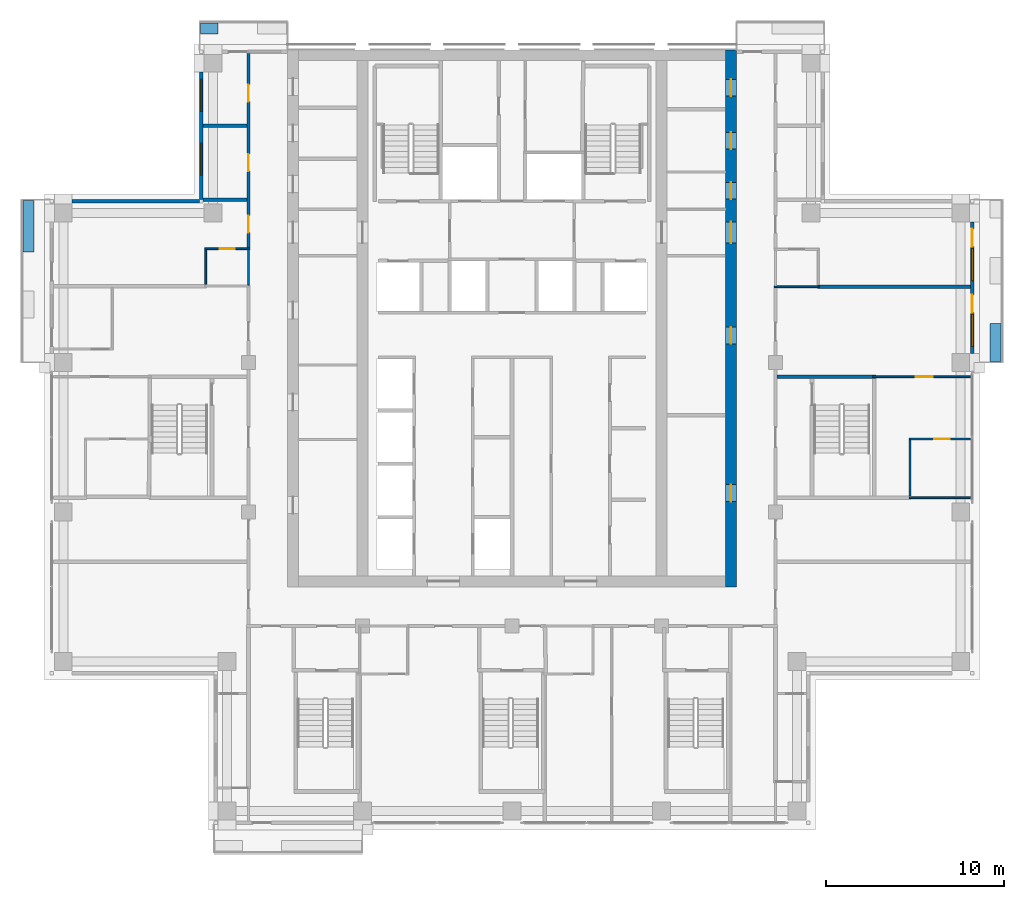
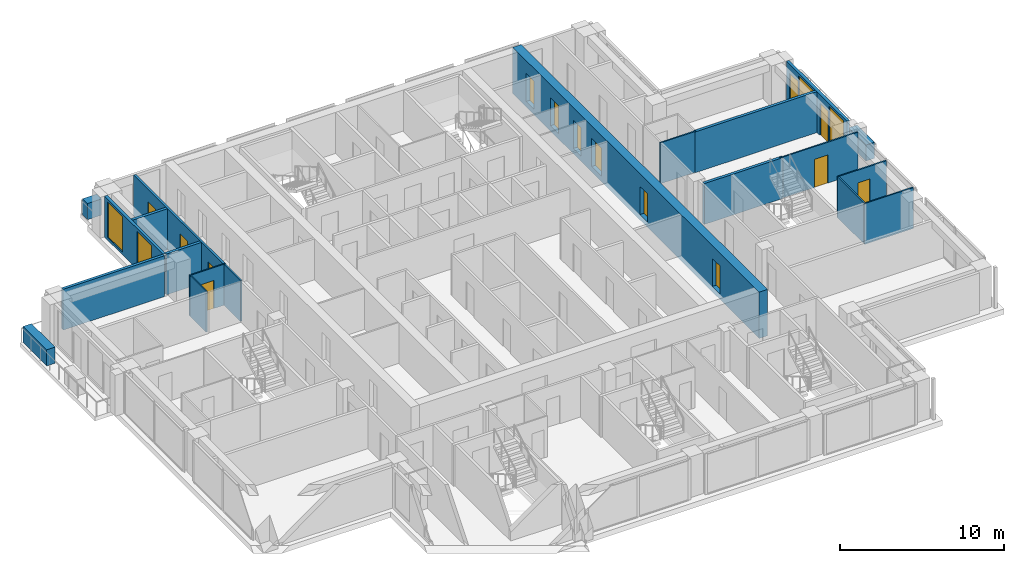
# One storey, part 11 of 16: 20 walls, 14 doors, 4 windows, 18 openings.
"""IFC4 building model written with IfcOpenShell, lengths in metres."""

from ifc_helpers import new_model, si_unit, direction, frame, frame_2d, origin, place, context, subcontext, project, spatial, rectangle, extrude, material, layer, layer_set, type_object, element, fill, save


model = new_model("IFC4")

# Units and contexts
model_context = context("Model", 3, precision=1e-05, world=origin(), true_north=direction((0.0, 1.0)))
body_context = subcontext(model_context, "Body", "Model", "MODEL_VIEW")
ifc_project = project(units=[si_unit("LENGTHUNIT", "METRE"), si_unit("AREAUNIT", "SQUARE_METRE"), si_unit("VOLUMEUNIT", "CUBIC_METRE"), si_unit("PLANEANGLEUNIT", "RADIAN"), si_unit("MASSUNIT", "GRAM", prefix="KILO")], contexts=[model_context])

# Site, building, storey
site_placement = place(None, origin())
site = spatial("IfcSite", under=ifc_project, at=site_placement, CompositionType="ELEMENT")
building_placement = place(site_placement, origin())
building = spatial("IfcBuilding", under=site, at=building_placement, Name="Vermilion Ogive Tower", CompositionType="ELEMENT")
storey_placement = place(building_placement, frame((0.0, 0.0, 182.449951171875)))
storey = spatial("IfcBuildingStorey", under=building, at=storey_placement, Name="L47", CompositionType="ELEMENT", Elevation=182.449951171875)

# Wall, openings, doors
ifc_material_1 = material(Name="Concrete B60", Category="concrete")
ifc_layer_1 = layer(ifc_material_1, 0.60009765625)
ifc_layer_set_1 = layer_set([ifc_layer_1], Name="Core wall 600 B60")
wall_type_1 = type_object("IfcWallType", Name="Core wall 600 B60", PredefinedType="SHEAR", material=ifc_layer_set_1)
wall_1_placement = place(storey_placement, frame((12.300048828125, -8.39990234375, -0.39990234375), z_axis=(0.0, 0.0, 1.0), x_axis=(0.0, 1.0, 0.0)))
wall_1 = element("IfcWall", 1, at=wall_1_placement, inside=storey, type_object=wall_type_1, Name="L47-CORE-E", PredefinedType="SHEAR", context=body_context, shape_type="SweptSolid", body=[
    extrude(rectangle(XDim=30.14990234375, YDim=0.60009765625, at=frame_2d((15.074951171875, 0.0))), origin(), (0.0, 0.0, 1.0), 3.449951171875),
])
opening_1_placement = place(wall_1_placement, frame((4.78759765625, 0.0, 0.39990234375)))
opening_1 = element("IfcOpeningElement", 2, at=opening_1_placement, cuts=wall_1, Name="Opening DAC067", PredefinedType="OPENING", context=body_context, shape_type="SweptSolid", body=[
    extrude(rectangle(XDim=0.949951171875, YDim=2.10009765625, at=frame_2d((0.47509765625, 1.050048828125))), frame((0.0, 0.31005859375, 0.0), z_axis=(0.0, -1.0, 0.0), x_axis=(1.0, 0.0, 0.0)), (0.0, 0.0, 1.0), 0.6201171875),
])
opening_2_placement = place(wall_1_placement, frame((13.6376953125, 0.0, 0.39990234375)))
opening_2 = element("IfcOpeningElement", 3, at=opening_2_placement, cuts=wall_1, Name="Opening DAC068", PredefinedType="OPENING", context=body_context, shape_type="SweptSolid", body=[
    extrude(rectangle(XDim=0.949951171875, YDim=2.10009765625, at=frame_2d((0.47509765625, 1.050048828125))), frame((0.0, 0.31005859375, 0.0), z_axis=(0.0, -1.0, 0.0), x_axis=(1.0, 0.0, 0.0)), (0.0, 0.0, 1.0), 0.6201171875),
])
opening_3_placement = place(wall_1_placement, frame((21.7705078125, 0.0, 0.39990234375)))
opening_3 = element("IfcOpeningElement", 4, at=opening_3_placement, cuts=wall_1, Name="Opening DAC069", PredefinedType="OPENING", context=body_context, shape_type="SweptSolid", body=[
    extrude(rectangle(XDim=0.949951171875, YDim=2.10009765625, at=frame_2d((0.47509765625, 1.050048828125))), frame((0.0, 0.31005859375, 0.0), z_axis=(0.0, -1.0, 0.0), x_axis=(1.0, 0.0, 0.0)), (0.0, 0.0, 1.0), 0.6201171875),
])
opening_4_placement = place(wall_1_placement, frame((24.57568359375, 0.0, 0.39990234375)))
opening_4 = element("IfcOpeningElement", 5, at=opening_4_placement, cuts=wall_1, Name="Opening DAC070", PredefinedType="OPENING", context=body_context, shape_type="SweptSolid", body=[
    extrude(rectangle(XDim=0.949951171875, YDim=2.10009765625, at=frame_2d((0.47509765625, 1.050048828125))), frame((0.0, 0.31005859375, 0.0), z_axis=(0.0, -1.0, 0.0), x_axis=(1.0, 0.0, 0.0)), (0.0, 0.0, 1.0), 0.6201171875),
])
opening_5_placement = place(wall_1_placement, frame((27.555419921875, 0.0, 0.39990234375)))
opening_5 = element("IfcOpeningElement", 6, at=opening_5_placement, cuts=wall_1, Name="Opening DAC071", PredefinedType="OPENING", context=body_context, shape_type="SweptSolid", body=[
    extrude(rectangle(XDim=0.949951171875, YDim=2.10009765625, at=frame_2d((0.47509765625, 1.050048828125))), frame((0.0, 0.31005859375, 0.0), z_axis=(0.0, -1.0, 0.0), x_axis=(1.0, 0.0, 0.0)), (0.0, 0.0, 1.0), 0.6201171875),
])
opening_6_placement = place(wall_1_placement, frame((19.300048828125, 0.0, 0.39990234375)))
opening_6 = element("IfcOpeningElement", 7, at=opening_6_placement, cuts=wall_1, Name="Opening DAL018", PredefinedType="OPENING", context=body_context, shape_type="SweptSolid", body=[
    extrude(rectangle(XDim=1.199951171875, YDim=2.10009765625, at=frame_2d((0.60009765625, 1.050048828125))), frame((0.0, 0.31005859375, 0.0), z_axis=(0.0, -1.0, 0.0), x_axis=(1.0, 0.0, 0.0)), (0.0, 0.0, 1.0), 0.6201171875),
])
ifc_material_2 = material(Name="Timber door leaf", Category="wood")
door_type_1 = type_object("IfcDoorType", Name="Link door 1200 x 2100 FD60S", OperationType="SINGLE_SWING_LEFT", PredefinedType="DOOR", material=ifc_material_2)
door_1_placement = place(opening_6_placement, origin())
door_1 = element("IfcDoor", 8, at=door_1_placement, inside=storey, type_object=door_type_1, Name="L47-CKE-XL", OperationType="SINGLE_SWING_LEFT", OverallHeight=2.10009765625, OverallWidth=1.199951171875, PredefinedType="DOOR", context=body_context, shape_type="SweptSolid", body=[
    extrude(rectangle(XDim=1.199951171875, YDim=2.10009765625, at=frame_2d((0.60009765625, 1.050048828125))), frame((0.0, 0.02490234375, 0.0), z_axis=(0.0, -1.0, 0.0), x_axis=(1.0, 0.0, 0.0)), (0.0, 0.0, 1.0), 0.050048828125),
])
fill(opening_6, door_1)
ifc_material_3 = material(Name="Timber door leaf", Category="wood")
door_type_2 = type_object("IfcDoorType", Name="Service door 950 x 2100 FD60", OperationType="SINGLE_SWING_LEFT", PredefinedType="DOOR", material=ifc_material_3)
door_2_placement = place(opening_1_placement, origin())
door_2 = element("IfcDoor", 9, at=door_2_placement, inside=storey, type_object=door_type_2, Name="L47-CKE-XR0", OperationType="SINGLE_SWING_LEFT", OverallHeight=2.10009765625, OverallWidth=0.949951171875, PredefinedType="DOOR", context=body_context, shape_type="SweptSolid", body=[
    extrude(rectangle(XDim=0.949951171875, YDim=2.10009765625, at=frame_2d((0.47509765625, 1.050048828125))), frame((0.0, 0.02490234375, 0.0), z_axis=(0.0, -1.0, 0.0), x_axis=(1.0, 0.0, 0.0)), (0.0, 0.0, 1.0), 0.050048828125),
])
fill(opening_1, door_2)
door_3_placement = place(opening_2_placement, origin())
door_3 = element("IfcDoor", 10, at=door_3_placement, inside=storey, type_object=door_type_2, Name="L47-CKE-XR1", OperationType="SINGLE_SWING_LEFT", OverallHeight=2.10009765625, OverallWidth=0.949951171875, PredefinedType="DOOR", context=body_context, shape_type="SweptSolid", body=[
    extrude(rectangle(XDim=0.949951171875, YDim=2.10009765625, at=frame_2d((0.47509765625, 1.050048828125))), frame((0.0, 0.02490234375, 0.0), z_axis=(0.0, -1.0, 0.0), x_axis=(1.0, 0.0, 0.0)), (0.0, 0.0, 1.0), 0.050048828125),
])
fill(opening_2, door_3)
door_4_placement = place(opening_3_placement, origin())
door_4 = element("IfcDoor", 11, at=door_4_placement, inside=storey, type_object=door_type_2, Name="L47-CKE-XR2", OperationType="SINGLE_SWING_LEFT", OverallHeight=2.10009765625, OverallWidth=0.949951171875, PredefinedType="DOOR", context=body_context, shape_type="SweptSolid", body=[
    extrude(rectangle(XDim=0.949951171875, YDim=2.10009765625, at=frame_2d((0.47509765625, 1.050048828125))), frame((0.0, 0.02490234375, 0.0), z_axis=(0.0, -1.0, 0.0), x_axis=(1.0, 0.0, 0.0)), (0.0, 0.0, 1.0), 0.050048828125),
])
fill(opening_3, door_4)
door_5_placement = place(opening_4_placement, origin())
door_5 = element("IfcDoor", 12, at=door_5_placement, inside=storey, type_object=door_type_2, Name="L47-CKE-XR3", OperationType="SINGLE_SWING_LEFT", OverallHeight=2.10009765625, OverallWidth=0.949951171875, PredefinedType="DOOR", context=body_context, shape_type="SweptSolid", body=[
    extrude(rectangle(XDim=0.949951171875, YDim=2.10009765625, at=frame_2d((0.47509765625, 1.050048828125))), frame((0.0, 0.02490234375, 0.0), z_axis=(0.0, -1.0, 0.0), x_axis=(1.0, 0.0, 0.0)), (0.0, 0.0, 1.0), 0.050048828125),
])
fill(opening_4, door_5)
door_6_placement = place(opening_5_placement, origin())
door_6 = element("IfcDoor", 13, at=door_6_placement, inside=storey, type_object=door_type_2, Name="L47-CKE-XR4", OperationType="SINGLE_SWING_LEFT", OverallHeight=2.10009765625, OverallWidth=0.949951171875, PredefinedType="DOOR", context=body_context, shape_type="SweptSolid", body=[
    extrude(rectangle(XDim=0.949951171875, YDim=2.10009765625, at=frame_2d((0.47509765625, 1.050048828125))), frame((0.0, 0.02490234375, 0.0), z_axis=(0.0, -1.0, 0.0), x_axis=(1.0, 0.0, 0.0)), (0.0, 0.0, 1.0), 0.050048828125),
])
fill(opening_5, door_6)

# Wall
ifc_material_4 = material(Name="Gypsum board partition on steel studs", Category="steel")
ifc_layer_2 = layer(ifc_material_4, 0.10009765625)
ifc_layer_set_2 = layer_set([ifc_layer_2], Name="Partition 100 bath")
wall_type_2 = type_object("IfcWallType", Name="Partition 100 bath", PredefinedType="PARTITIONING", material=ifc_layer_set_2)
wall_2_placement = place(storey_placement, frame((22.300048828125, -3.39990234375, 0.0), z_axis=(0.0, 0.0, 1.0), x_axis=(1.0, 0.0, 0.0)))
element("IfcWall", 14, at=wall_2_placement, inside=storey, type_object=wall_type_2, Name="L47-W-W024", PredefinedType="PARTITIONING", context=body_context, shape_type="SweptSolid", body=[
    extrude(rectangle(XDim=3.449951171875, YDim=0.10009765625, at=frame_2d((1.72509765625, 0.0))), origin(), (0.0, 0.0, 1.0), 3.050048828125),
])

# Wall, opening, door
wall_3_placement = place(storey_placement, frame((22.300048828125, -0.10009765625, 0.0), z_axis=(0.0, 0.0, 1.0), x_axis=(1.0, 0.0, 0.0)))
wall_3 = element("IfcWall", 15, at=wall_3_placement, inside=storey, type_object=wall_type_2, Name="L47-W-W026", PredefinedType="PARTITIONING", context=body_context, shape_type="SweptSolid", body=[
    extrude(rectangle(XDim=3.449951171875, YDim=0.10009765625, at=frame_2d((1.72509765625, 0.0))), origin(), (0.0, 0.0, 1.0), 3.050048828125),
])
opening_7_placement = place(wall_3_placement, frame((1.425048828125, 0.0, 0.0)))
opening_7 = element("IfcOpeningElement", 16, at=opening_7_placement, cuts=wall_3, Name="Opening D4G1022", PredefinedType="OPENING", context=body_context, shape_type="SweptSolid", body=[
    extrude(rectangle(XDim=0.85009765625, YDim=2.10009765625, at=frame_2d((0.425048828125, 1.050048828125))), frame((0.0, 0.06005859375, 0.0), z_axis=(0.0, -1.0, 0.0), x_axis=(1.0, 0.0, 0.0)), (0.0, 0.0, 1.0), 0.1201171875),
])
ifc_material_5 = material(Name="Timber door leaf", Category="wood")
door_type_3 = type_object("IfcDoorType", Name="Bath door 850 x 2100 FD30", OperationType="SINGLE_SWING_LEFT", PredefinedType="DOOR", material=ifc_material_5)
door_7_placement = place(opening_7_placement, origin())
door_7 = element("IfcDoor", 17, at=door_7_placement, inside=storey, type_object=door_type_3, Name="L47-D-D022", OperationType="SINGLE_SWING_RIGHT", OverallHeight=2.10009765625, OverallWidth=0.85009765625, PredefinedType="DOOR", context=body_context, shape_type="SweptSolid", body=[
    extrude(rectangle(XDim=0.85009765625, YDim=2.10009765625, at=frame_2d((0.425048828125, 1.050048828125))), frame((0.0, 0.02490234375, 0.0), z_axis=(0.0, -1.0, 0.0), x_axis=(1.0, 0.0, 0.0)), (0.0, 0.0, 1.0), 0.050048828125),
])
fill(opening_7, door_7)

# Wall
wall_4_placement = place(storey_placement, frame((14.72509765625, 8.449951171875, 0.0), z_axis=(0.0, 0.0, 1.0), x_axis=(1.0, 0.0, 0.0)))
element("IfcWall", 18, at=wall_4_placement, inside=storey, type_object=wall_type_2, Name="L47-W-W032", PredefinedType="PARTITIONING", context=body_context, shape_type="SweptSolid", body=[
    extrude(rectangle(XDim=2.52490234375, YDim=0.10009765625, at=frame_2d((1.262451171875, 0.0))), origin(), (0.0, 0.0, 1.0), 3.050048828125),
])

# Wall, opening, door
wall_5_placement = place(storey_placement, frame((-17.25, 10.590087890625, 0.0), z_axis=(0.0, 0.0, 1.0), x_axis=(1.0, 0.0, 0.0)))
wall_5 = element("IfcWall", 19, at=wall_5_placement, inside=storey, type_object=wall_type_2, Name="L47-W-W037", PredefinedType="PARTITIONING", context=body_context, shape_type="SweptSolid", body=[
    extrude(rectangle(XDim=2.52490234375, YDim=0.10009765625, at=frame_2d((1.262451171875, 0.0))), origin(), (0.0, 0.0, 1.0), 3.050048828125),
])
opening_8_placement = place(wall_5_placement, frame((0.824951171875, 0.0, 0.0)))
opening_8 = element("IfcOpeningElement", 20, at=opening_8_placement, cuts=wall_5, Name="Opening D4G1009", PredefinedType="OPENING", context=body_context, shape_type="SweptSolid", body=[
    extrude(rectangle(XDim=0.85009765625, YDim=2.10009765625, at=frame_2d((0.425048828125, 1.050048828125))), frame((0.0, 0.06005859375, 0.0), z_axis=(0.0, -1.0, 0.0), x_axis=(1.0, 0.0, 0.0)), (0.0, 0.0, 1.0), 0.1201171875),
])
door_8_placement = place(opening_8_placement, origin())
door_8 = element("IfcDoor", 21, at=door_8_placement, inside=storey, type_object=door_type_3, Name="L47-D-D009", OperationType="SINGLE_SWING_RIGHT", OverallHeight=2.10009765625, OverallWidth=0.85009765625, PredefinedType="DOOR", context=body_context, shape_type="SweptSolid", body=[
    extrude(rectangle(XDim=0.85009765625, YDim=2.10009765625, at=frame_2d((0.425048828125, 1.050048828125))), frame((0.0, 0.02490234375, 0.0), z_axis=(0.0, -1.0, 0.0), x_axis=(1.0, 0.0, 0.0)), (0.0, 0.0, 1.0), 0.050048828125),
])
fill(opening_8, door_8)

# Walls
wall_6_placement = place(storey_placement, frame((-17.199951171875, 8.590087890625, 0.0), z_axis=(0.0, 0.0, 1.0), x_axis=(0.0, 1.0, 0.0)))
element("IfcWall", 22, at=wall_6_placement, inside=storey, type_object=wall_type_2, Name="L47-W-W046", PredefinedType="PARTITIONING", context=body_context, shape_type="SweptSolid", body=[
    extrude(rectangle(XDim=1.949951171875, YDim=0.10009765625, at=frame_2d((0.97509765625, 0.0))), origin(), (0.0, 0.0, 1.0), 3.050048828125),
])
wall_7_placement = place(storey_placement, frame((-14.800048828125, 8.5400390625, 0.0), z_axis=(0.0, 0.0, 1.0), x_axis=(0.0, 1.0, 0.0)))
element("IfcWall", 23, at=wall_7_placement, inside=storey, type_object=wall_type_2, Name="L47-W-W051", PredefinedType="PARTITIONING", context=body_context, shape_type="SweptSolid", body=[
    extrude(rectangle(XDim=2.0, YDim=0.10009765625, at=frame_2d((1.0, 0.0))), origin(), (0.0, 0.0, 1.0), 3.050048828125),
])
wall_8_placement = place(storey_placement, frame((22.35009765625, -3.300048828125, 0.0), z_axis=(0.0, 0.0, 1.0), x_axis=(0.0, 1.0, 0.0)))
element("IfcWall", 24, at=wall_8_placement, inside=storey, type_object=wall_type_2, Name="L47-W-W078", PredefinedType="PARTITIONING", context=body_context, shape_type="SweptSolid", body=[
    extrude(rectangle(XDim=3.150146484375, YDim=0.10009765625, at=frame_2d((1.5751953125, 0.0))), origin(), (0.0, 0.0, 1.0), 3.050048828125),
])

# Wall, opening, door
ifc_material_6 = material(Name="Gypsum board partition on steel studs", Category="steel")
ifc_layer_3 = layer(ifc_material_6, 0.10009765625)
ifc_layer_set_3 = layer_set([ifc_layer_3], Name="Partition 100 inner")
wall_type_3 = type_object("IfcWallType", Name="Partition 100 inner", PredefinedType="PARTITIONING", material=ifc_layer_set_3)
wall_9_placement = place(storey_placement, frame((20.25, 3.39990234375, 0.0), z_axis=(0.0, 0.0, 1.0), x_axis=(1.0, 0.0, 0.0)))
wall_9 = element("IfcWall", 25, at=wall_9_placement, inside=storey, type_object=wall_type_3, Name="L47-W-W030", PredefinedType="PARTITIONING", context=body_context, shape_type="SweptSolid", body=[
    extrude(rectangle(XDim=5.5, YDim=0.10009765625, at=frame_2d((2.75, 0.0))), origin(), (0.0, 0.0, 1.0), 3.050048828125),
])
opening_9_placement = place(wall_9_placement, frame((2.425048828125, 0.0, 0.0)))
opening_9 = element("IfcOpeningElement", 26, at=opening_9_placement, cuts=wall_9, Name="Opening D4G1021", PredefinedType="OPENING", context=body_context, shape_type="SweptSolid", body=[
    extrude(rectangle(XDim=0.949951171875, YDim=2.10009765625, at=frame_2d((0.47509765625, 1.050048828125))), frame((0.0, 0.06005859375, 0.0), z_axis=(0.0, -1.0, 0.0), x_axis=(1.0, 0.0, 0.0)), (0.0, 0.0, 1.0), 0.1201171875),
])
ifc_material_7 = material(Name="Timber door leaf", Category="wood")
door_type_4 = type_object("IfcDoorType", Name="Inner door 950 x 2100 FD30", OperationType="SINGLE_SWING_LEFT", PredefinedType="DOOR", material=ifc_material_7)
door_9_placement = place(opening_9_placement, origin())
door_9 = element("IfcDoor", 27, at=door_9_placement, inside=storey, type_object=door_type_4, Name="L47-D-D021", OperationType="SINGLE_SWING_LEFT", OverallHeight=2.10009765625, OverallWidth=0.949951171875, PredefinedType="DOOR", context=body_context, shape_type="SweptSolid", body=[
    extrude(rectangle(XDim=0.949951171875, YDim=2.10009765625, at=frame_2d((0.47509765625, 1.050048828125))), frame((0.0, 0.02490234375, 0.0), z_axis=(0.0, -1.0, 0.0), x_axis=(1.0, 0.0, 0.0)), (0.0, 0.0, 1.0), 0.050048828125),
])
fill(opening_9, door_9)

# Wall, openings, doors
ifc_material_8 = material(Name="Gypsum board partition on steel studs", Category="steel")
ifc_layer_4 = layer(ifc_material_8, 0.14990234375)
ifc_layer_set_4 = layer_set([ifc_layer_4], Name="Partition 150 corridor")
wall_type_4 = type_object("IfcWallType", Name="Partition 150 corridor", PredefinedType="PARTITIONING", material=ifc_layer_set_4)
wall_10_placement = place(storey_placement, frame((-14.800048828125, 10.639892578125, 0.0), z_axis=(0.0, 0.0, 1.0), x_axis=(0.0, 1.0, 0.0)))
wall_10 = element("IfcWall", 28, at=wall_10_placement, inside=storey, type_object=wall_type_4, Name="L47-W-W052", PredefinedType="PARTITIONING", context=body_context, shape_type="SweptSolid", body=[
    extrude(rectangle(XDim=10.91015625, YDim=0.14990234375, at=frame_2d((5.455078125, 0.0))), origin(), (0.0, 0.0, 1.0), 3.050048828125),
])
opening_10_placement = place(wall_10_placement, frame((0.855224609375, 0.0, 0.0)))
opening_10 = element("IfcOpeningElement", 29, at=opening_10_placement, cuts=wall_10, Name="Opening D4G1008", PredefinedType="OPENING", context=body_context, shape_type="SweptSolid", body=[
    extrude(rectangle(XDim=0.949951171875, YDim=2.10009765625, at=frame_2d((0.47509765625, 1.050048828125))), frame((0.0, 0.0849609375, 0.0), z_axis=(0.0, -1.0, 0.0), x_axis=(1.0, 0.0, 0.0)), (0.0, 0.0, 1.0), 0.169921875),
])
opening_11_placement = place(wall_10_placement, frame((4.31005859375, 0.0, 0.0)))
opening_11 = element("IfcOpeningElement", 30, at=opening_11_placement, cuts=wall_10, Name="Opening D4G1010", PredefinedType="OPENING", context=body_context, shape_type="SweptSolid", body=[
    extrude(rectangle(XDim=0.949951171875, YDim=2.10009765625, at=frame_2d((0.47509765625, 1.050048828125))), frame((0.0, 0.0849609375, 0.0), z_axis=(0.0, -1.0, 0.0), x_axis=(1.0, 0.0, 0.0)), (0.0, 0.0, 1.0), 0.169921875),
])
opening_12_placement = place(wall_10_placement, frame((8.210205078125, 0.0, 0.0)))
opening_12 = element("IfcOpeningElement", 31, at=opening_12_placement, cuts=wall_10, Name="Opening D4G1011", PredefinedType="OPENING", context=body_context, shape_type="SweptSolid", body=[
    extrude(rectangle(XDim=0.949951171875, YDim=2.10009765625, at=frame_2d((0.47509765625, 1.050048828125))), frame((0.0, 0.0849609375, 0.0), z_axis=(0.0, -1.0, 0.0), x_axis=(1.0, 0.0, 0.0)), (0.0, 0.0, 1.0), 0.169921875),
])
ifc_material_9 = material(Name="Timber door leaf", Category="wood")
door_type_5 = type_object("IfcDoorType", Name="Unit door 950 x 2100 FD30S", OperationType="SINGLE_SWING_LEFT", PredefinedType="DOOR", material=ifc_material_9)
door_10_placement = place(opening_10_placement, origin())
door_10 = element("IfcDoor", 32, at=door_10_placement, inside=storey, type_object=door_type_5, Name="L47-D-D008", OperationType="SINGLE_SWING_LEFT", OverallHeight=2.10009765625, OverallWidth=0.949951171875, PredefinedType="DOOR", context=body_context, shape_type="SweptSolid", body=[
    extrude(rectangle(XDim=0.949951171875, YDim=2.10009765625, at=frame_2d((0.47509765625, 1.050048828125))), frame((0.0, 0.02490234375, 0.0), z_axis=(0.0, -1.0, 0.0), x_axis=(1.0, 0.0, 0.0)), (0.0, 0.0, 1.0), 0.050048828125),
])
fill(opening_10, door_10)
door_11_placement = place(opening_11_placement, origin())
door_11 = element("IfcDoor", 33, at=door_11_placement, inside=storey, type_object=door_type_5, Name="L47-D-D010", OperationType="SINGLE_SWING_LEFT", OverallHeight=2.10009765625, OverallWidth=0.949951171875, PredefinedType="DOOR", context=body_context, shape_type="SweptSolid", body=[
    extrude(rectangle(XDim=0.949951171875, YDim=2.10009765625, at=frame_2d((0.47509765625, 1.050048828125))), frame((0.0, 0.02490234375, 0.0), z_axis=(0.0, -1.0, 0.0), x_axis=(1.0, 0.0, 0.0)), (0.0, 0.0, 1.0), 0.050048828125),
])
fill(opening_11, door_11)
door_12_placement = place(opening_12_placement, origin())
door_12 = element("IfcDoor", 34, at=door_12_placement, inside=storey, type_object=door_type_5, Name="L47-D-D011", OperationType="SINGLE_SWING_RIGHT", OverallHeight=2.10009765625, OverallWidth=0.949951171875, PredefinedType="DOOR", context=body_context, shape_type="SweptSolid", body=[
    extrude(rectangle(XDim=0.949951171875, YDim=2.10009765625, at=frame_2d((0.47509765625, 1.050048828125))), frame((0.0, 0.02490234375, 0.0), z_axis=(0.0, -1.0, 0.0), x_axis=(1.0, 0.0, 0.0)), (0.0, 0.0, 1.0), 0.050048828125),
])
fill(opening_12, door_12)

# Walls
ifc_material_10 = material(Name="Gypsum board partition on steel studs", Category="steel")
ifc_layer_5 = layer(ifc_material_10, 0.199951171875)
ifc_layer_set_5 = layer_set([ifc_layer_5], Name="Partition 200 party")
wall_type_5 = type_object("IfcWallType", Name="Partition 200 party", PredefinedType="PARTITIONING", material=ifc_layer_set_5)
wall_11_placement = place(storey_placement, frame((17.14990234375, 8.449951171875, 0.0), z_axis=(0.0, 0.0, 1.0), x_axis=(1.0, 0.0, 0.0)))
element("IfcWall", 35, at=wall_11_placement, inside=storey, type_object=wall_type_5, Name="L47-W-W033", PredefinedType="PARTITIONING", context=body_context, shape_type="SweptSolid", body=[
    extrude(rectangle(XDim=8.60009765625, YDim=0.199951171875, at=frame_2d((4.300048828125, 0.0))), origin(), (0.0, 0.0, 1.0), 3.050048828125),
])
for number, where, z_axis, x_axis, name in (
    (36, (-17.35009765625, 13.35009765625, 0.0), (0.0, 0.0, 1.0), (1.0, 0.0, 0.0), "L47-W-W038"),
    (37, (-17.35009765625, 17.5, 0.0), (0.0, 0.0, 1.0), (1.0, 0.0, 0.0), "L47-W-W040"),
):
    element("IfcWall", number, at=place(storey_placement, frame(where, z_axis=z_axis, x_axis=x_axis)), inside=storey, type_object=wall_type_5, Name=name, PredefinedType="PARTITIONING", context=body_context, shape_type="SweptSolid", body=[
        extrude(rectangle(XDim=2.47509765625, YDim=0.199951171875, at=frame_2d((1.237548828125, 0.0))), origin(), (0.0, 0.0, 1.0), 3.050048828125),
    ])
ifc_material_11 = material(Name="Concrete B60", Category="concrete")
ifc_layer_6 = layer(ifc_material_11, 0.199951171875)
ifc_layer_set_6 = layer_set([ifc_layer_6], Name="Stair shaft wall 200 Concrete B60")
wall_type_6 = type_object("IfcWallType", Name="Stair shaft wall 200 Concrete B60", PredefinedType="SOLIDWALL", material=ifc_layer_set_6)
wall_12_placement = place(storey_placement, frame((14.875, 3.39990234375, 0.0), z_axis=(0.0, 0.0, 1.0), x_axis=(1.0, 0.0, 0.0)))
element("IfcWall", 38, at=wall_12_placement, inside=storey, type_object=wall_type_6, Name="L47-W-W029", PredefinedType="SOLIDWALL", context=body_context, shape_type="SweptSolid", body=[
    extrude(rectangle(XDim=5.574951171875, YDim=0.199951171875, at=frame_2d((2.78759765625, 0.0))), origin(), (0.0, 0.0, 1.0), 3.050048828125),
])
ifc_material_12 = material(Name="Concrete B40", Category="concrete")
ifc_layer_7 = layer(ifc_material_12, 0.60009765625)
ifc_layer_set_7 = layer_set([ifc_layer_7], Name="Structural planter")
wall_type_7 = type_object("IfcWallType", Name="Structural planter", PredefinedType="USERDEFINED", material=ifc_layer_set_7)
wall_13_placement = place(storey_placement, frame((27.154052734375, 4.260009765625, -0.0400390625), z_axis=(0.0, 0.0, 1.0), x_axis=(0.0, 1.0, 0.0)))
element("IfcWall", 39, at=wall_13_placement, inside=storey, type_object=wall_type_7, Name="Planter E03A1", ObjectType="PLANTER", PredefinedType="USERDEFINED", context=body_context, shape_type="SweptSolid", body=[
    extrude(rectangle(XDim=2.139892578125, YDim=0.60009765625, at=frame_2d((1.06982421875, 0.0))), origin(), (0.0, 0.0, 1.0), 1.2001953125),
])
wall_14_placement = place(storey_placement, frame((-16.5, 22.9541015625, -0.0400390625), z_axis=(0.0, 0.0, 1.0), x_axis=(-1.0, 0.0, 0.0)))
element("IfcWall", 40, at=wall_14_placement, inside=storey, type_object=wall_type_7, Name="Planter N201A2", ObjectType="PLANTER", PredefinedType="USERDEFINED", context=body_context, shape_type="SweptSolid", body=[
    extrude(rectangle(XDim=0.989990234375, YDim=0.60009765625, at=frame_2d((0.4951171875, 0.0))), origin(), (0.0, 0.0, 1.0), 1.2001953125),
])
wall_15_placement = place(storey_placement, frame((-27.154052734375, 13.2900390625, -0.0400390625), z_axis=(0.0, 0.0, 1.0), x_axis=(0.0, -1.0, 0.0)))
element("IfcWall", 41, at=wall_15_placement, inside=storey, type_object=wall_type_7, Name="Planter W01A1", ObjectType="PLANTER", PredefinedType="USERDEFINED", context=body_context, shape_type="SweptSolid", body=[
    extrude(rectangle(XDim=2.89013671875, YDim=0.60009765625, at=frame_2d((1.445068359375, 0.0))), origin(), (0.0, 0.0, 1.0), 1.2001953125),
])

# Wall, openings, doors, windows
ifc_material_13 = material(Name="Aluminium window wall framing", Category="aluminium")
ifc_layer_8 = layer(ifc_material_13, 0.199951171875)
ifc_layer_set_8 = layer_set([ifc_layer_8], Name="Window wall")
wall_type_8 = type_object("IfcWallType", Name="Window wall", PredefinedType="STANDARD", material=ifc_layer_set_8)
wall_16_placement = place(storey_placement, frame((25.85009765625, 4.699951171875, 0.0), z_axis=(0.0, 0.0, 1.0), x_axis=(0.0, 1.0, 0.0)))
wall_16 = element("IfcWall", 42, at=wall_16_placement, inside=storey, type_object=wall_type_8, Name="Window wall E3", PredefinedType="STANDARD", context=body_context, shape_type="SweptSolid", body=[
    extrude(rectangle(XDim=7.400146484375, YDim=0.199951171875, at=frame_2d((3.7001953125, 0.0))), origin(), (0.0, 0.0, 1.0), 3.050048828125),
])
opening_13_placement = place(wall_16_placement, frame((0.39990234375, 0.0, 0.199951171875)))
opening_13 = element("IfcOpeningElement", 43, at=opening_13_placement, cuts=wall_16, Name="Opening W1-E01", PredefinedType="OPENING", context=body_context, shape_type="SweptSolid", body=[
    extrude(rectangle(XDim=1.800048828125, YDim=2.64990234375, at=frame_2d((0.89990234375, 1.324951171875))), frame((0.0, 0.10986328125, 0.0), z_axis=(0.0, -1.0, 0.0), x_axis=(1.0, 0.0, 0.0)), (0.0, 0.0, 1.0), 0.219970703125),
])
opening_14_placement = place(wall_16_placement, frame((2.300048828125, 0.0, 0.0)))
opening_14 = element("IfcOpeningElement", 44, at=opening_14_placement, cuts=wall_16, Name="Opening D1-E01", PredefinedType="OPENING", context=body_context, shape_type="SweptSolid", body=[
    extrude(rectangle(XDim=1.0, YDim=2.39990234375, at=frame_2d((0.5, 1.199951171875))), frame((0.0, 0.10986328125, 0.0), z_axis=(0.0, -1.0, 0.0), x_axis=(1.0, 0.0, 0.0)), (0.0, 0.0, 1.0), 0.219970703125),
])
opening_15_placement = place(wall_16_placement, frame((4.10009765625, 0.0, 0.199951171875)))
opening_15 = element("IfcOpeningElement", 45, at=opening_15_placement, cuts=wall_16, Name="Opening W1-E02", PredefinedType="OPENING", context=body_context, shape_type="SweptSolid", body=[
    extrude(rectangle(XDim=1.800048828125, YDim=2.64990234375, at=frame_2d((0.89990234375, 1.324951171875))), frame((0.0, 0.10986328125, 0.0), z_axis=(0.0, -1.0, 0.0), x_axis=(1.0, 0.0, 0.0)), (0.0, 0.0, 1.0), 0.219970703125),
])
opening_16_placement = place(wall_16_placement, frame((6.0, 0.0, 0.0)))
opening_16 = element("IfcOpeningElement", 46, at=opening_16_placement, cuts=wall_16, Name="Opening D1-E02", PredefinedType="OPENING", context=body_context, shape_type="SweptSolid", body=[
    extrude(rectangle(XDim=1.0, YDim=2.39990234375, at=frame_2d((0.5, 1.199951171875))), frame((0.0, 0.10986328125, 0.0), z_axis=(0.0, -1.0, 0.0), x_axis=(1.0, 0.0, 0.0)), (0.0, 0.0, 1.0), 0.219970703125),
])
ifc_material_14 = material(Name="Aluminium framed glazed door", Category="aluminium")
door_type_6 = type_object("IfcDoorType", Name="Balcony door D1", OperationType="SINGLE_SWING_LEFT", PredefinedType="DOOR", material=ifc_material_14)
door_13_placement = place(opening_14_placement, origin())
door_13 = element("IfcDoor", 47, at=door_13_placement, inside=storey, type_object=door_type_6, Name="Balcony door E01", OperationType="SINGLE_SWING_LEFT", OverallHeight=2.39990234375, OverallWidth=1.0, PredefinedType="DOOR", context=body_context, shape_type="SweptSolid", body=[
    extrude(rectangle(XDim=1.0, YDim=2.39990234375, at=frame_2d((0.5, 1.199951171875))), frame((0.0, 0.02490234375, 0.0), z_axis=(0.0, -1.0, 0.0), x_axis=(1.0, 0.0, 0.0)), (0.0, 0.0, 1.0), 0.050048828125),
])
fill(opening_14, door_13)
door_14_placement = place(opening_16_placement, origin())
door_14 = element("IfcDoor", 48, at=door_14_placement, inside=storey, type_object=door_type_6, Name="Balcony door E02", OperationType="SINGLE_SWING_LEFT", OverallHeight=2.39990234375, OverallWidth=1.0, PredefinedType="DOOR", context=body_context, shape_type="SweptSolid", body=[
    extrude(rectangle(XDim=1.0, YDim=2.39990234375, at=frame_2d((0.5, 1.199951171875))), frame((0.0, 0.02490234375, 0.0), z_axis=(0.0, -1.0, 0.0), x_axis=(1.0, 0.0, 0.0)), (0.0, 0.0, 1.0), 0.050048828125),
])
fill(opening_16, door_14)
ifc_material_15 = material(Name="Aluminium framed double glazing", Category="aluminium")
window_type = type_object("IfcWindowType", Name="Guest window W1", PartitioningType="SINGLE_PANEL", PredefinedType="WINDOW", material=ifc_material_15)
window_1_placement = place(opening_13_placement, origin())
window_1 = element("IfcWindow", 49, at=window_1_placement, inside=storey, type_object=window_type, Name="Window E01", OverallHeight=2.64990234375, OverallWidth=1.800048828125, PartitioningType="SINGLE_PANEL", PredefinedType="WINDOW", context=body_context, shape_type="SweptSolid", body=[
    extrude(rectangle(XDim=1.800048828125, YDim=2.64990234375, at=frame_2d((0.89990234375, 1.324951171875))), frame((0.0, 0.030029296875, 0.0), z_axis=(0.0, -1.0, 0.0), x_axis=(1.0, 0.0, 0.0)), (0.0, 0.0, 1.0), 0.06005859375),
])
fill(opening_13, window_1)
window_2_placement = place(opening_15_placement, origin())
window_2 = element("IfcWindow", 50, at=window_2_placement, inside=storey, type_object=window_type, Name="Window E02", OverallHeight=2.64990234375, OverallWidth=1.800048828125, PartitioningType="SINGLE_PANEL", PredefinedType="WINDOW", context=body_context, shape_type="SweptSolid", body=[
    extrude(rectangle(XDim=1.800048828125, YDim=2.64990234375, at=frame_2d((0.89990234375, 1.324951171875))), frame((0.0, 0.030029296875, 0.0), z_axis=(0.0, -1.0, 0.0), x_axis=(1.0, 0.0, 0.0)), (0.0, 0.0, 1.0), 0.06005859375),
])
fill(opening_15, window_2)

# Wall, openings, windows
wall_17_placement = place(storey_placement, frame((-17.449951171875, 20.5, 0.0), z_axis=(0.0, 0.0, 1.0), x_axis=(0.0, -1.0, 0.0)))
wall_17 = element("IfcWall", 51, at=wall_17_placement, inside=storey, type_object=wall_type_8, Name="Window wall X51", PredefinedType="STANDARD", context=body_context, shape_type="SweptSolid", body=[
    extrude(rectangle(XDim=7.14990234375, YDim=0.199951171875, at=frame_2d((3.574951171875, 0.0))), origin(), (0.0, 0.0, 1.0), 3.050048828125),
])
opening_17_placement = place(wall_17_placement, frame((3.97509765625, 0.0, 0.199951171875)))
opening_17 = element("IfcOpeningElement", 52, at=opening_17_placement, cuts=wall_17, Name="Opening W1-X503", PredefinedType="OPENING", context=body_context, shape_type="SweptSolid", body=[
    extrude(rectangle(XDim=1.800048828125, YDim=2.64990234375, at=frame_2d((0.89990234375, 1.324951171875))), frame((0.0, 0.10986328125, 0.0), z_axis=(0.0, -1.0, 0.0), x_axis=(1.0, 0.0, 0.0)), (0.0, 0.0, 1.0), 0.219970703125),
])
opening_18_placement = place(wall_17_placement, frame((0.39990234375, 0.0, 0.199951171875)))
opening_18 = element("IfcOpeningElement", 53, at=opening_18_placement, cuts=wall_17, Name="Opening W1-X504", PredefinedType="OPENING", context=body_context, shape_type="SweptSolid", body=[
    extrude(rectangle(XDim=1.800048828125, YDim=2.64990234375, at=frame_2d((0.89990234375, 1.324951171875))), frame((0.0, 0.10986328125, 0.0), z_axis=(0.0, -1.0, 0.0), x_axis=(1.0, 0.0, 0.0)), (0.0, 0.0, 1.0), 0.219970703125),
])
window_3_placement = place(opening_17_placement, origin())
window_3 = element("IfcWindow", 54, at=window_3_placement, inside=storey, type_object=window_type, Name="Window X503", OverallHeight=2.64990234375, OverallWidth=1.800048828125, PartitioningType="SINGLE_PANEL", PredefinedType="WINDOW", context=body_context, shape_type="SweptSolid", body=[
    extrude(rectangle(XDim=1.800048828125, YDim=2.64990234375, at=frame_2d((0.89990234375, 1.324951171875))), frame((0.0, 0.030029296875, 0.0), z_axis=(0.0, -1.0, 0.0), x_axis=(1.0, 0.0, 0.0)), (0.0, 0.0, 1.0), 0.06005859375),
])
fill(opening_17, window_3)
window_4_placement = place(opening_18_placement, origin())
window_4 = element("IfcWindow", 55, at=window_4_placement, inside=storey, type_object=window_type, Name="Window X504", OverallHeight=2.64990234375, OverallWidth=1.800048828125, PartitioningType="SINGLE_PANEL", PredefinedType="WINDOW", context=body_context, shape_type="SweptSolid", body=[
    extrude(rectangle(XDim=1.800048828125, YDim=2.64990234375, at=frame_2d((0.89990234375, 1.324951171875))), frame((0.0, 0.030029296875, 0.0), z_axis=(0.0, -1.0, 0.0), x_axis=(1.0, 0.0, 0.0)), (0.0, 0.0, 1.0), 0.06005859375),
])
fill(opening_18, window_4)

# Wall
wall_18_placement = place(storey_placement, frame((-17.550048828125, 13.25, 0.0), z_axis=(0.0, 0.0, 1.0), x_axis=(-1.0, 0.0, 0.0)))
element("IfcWall", 56, at=wall_18_placement, inside=storey, type_object=wall_type_8, Name="Window wall X61", PredefinedType="STANDARD", context=body_context, shape_type="SweptSolid", body=[
    extrude(rectangle(XDim=7.14990234375, YDim=0.199951171875, at=frame_2d((3.574951171875, 0.0))), origin(), (0.0, 0.0, 1.0), 3.050048828125),
])

save(model, "model.ifc")
